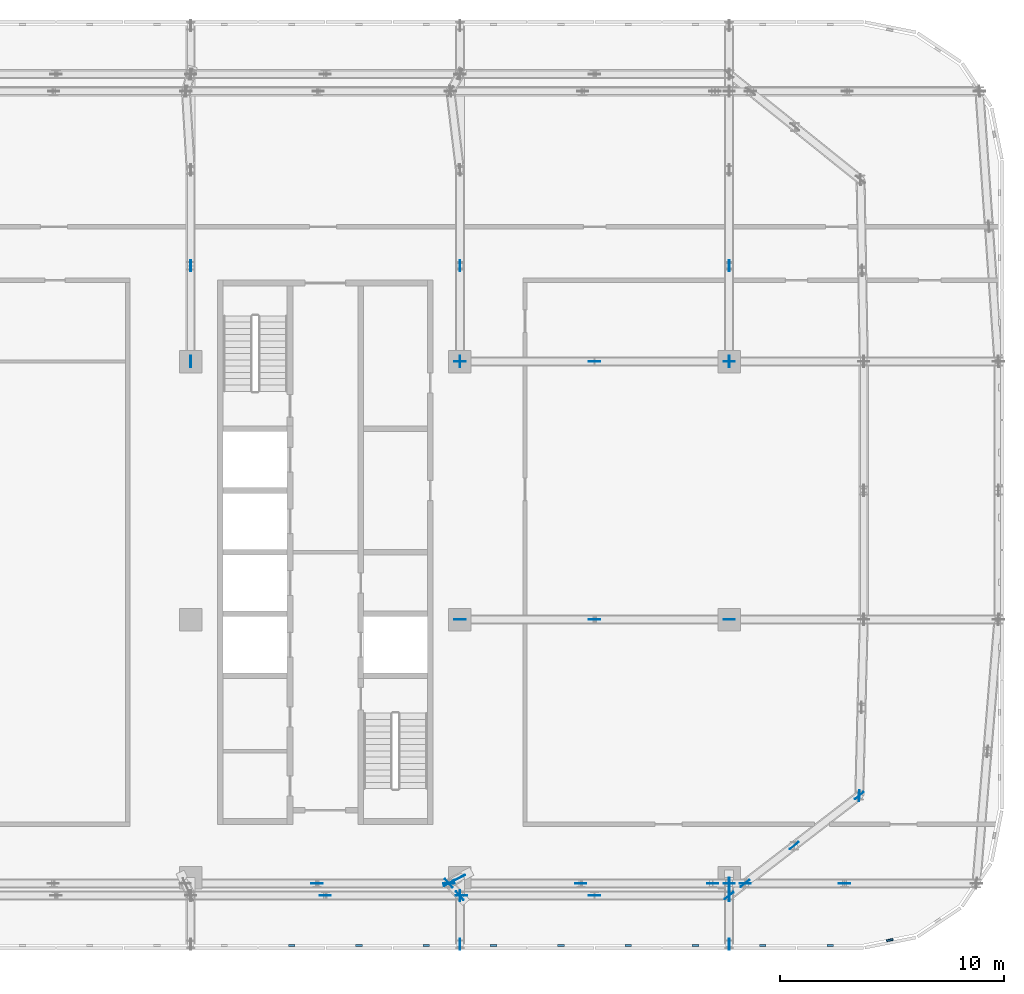
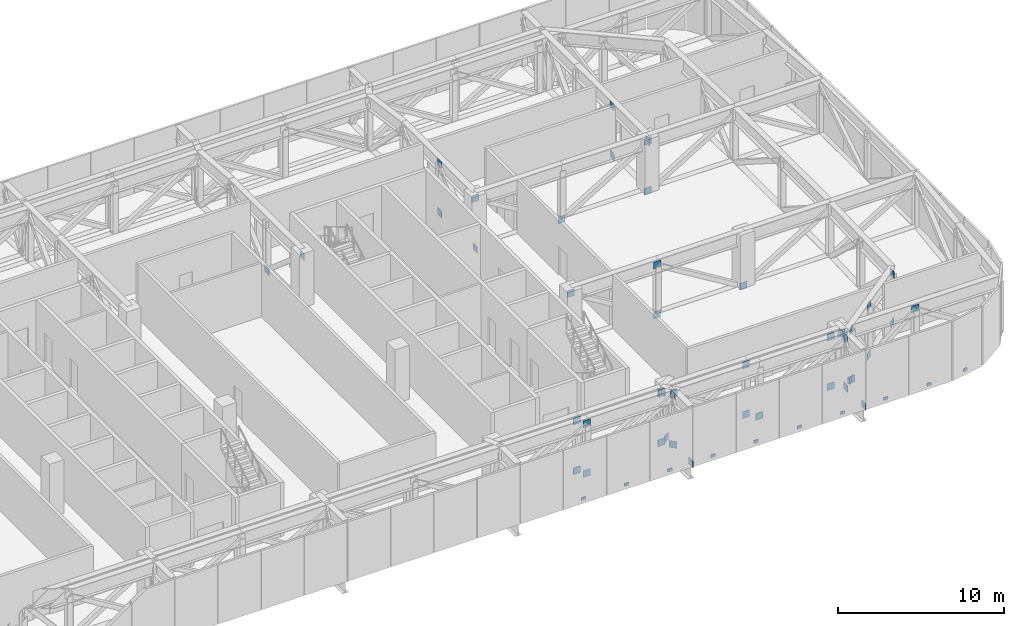
# One storey, part 21 of 29: 58 discrete accessories.
"""IFC4 building model written with IfcOpenShell, lengths in metres."""

from ifc_helpers import new_model, si_unit, direction, frame, origin, origin_2d, place, context, subcontext, project, spatial, rectangle, extrude, material, layer, layer_set, type_object, element, save


model = new_model("IFC4")

# Units and contexts
model_context = context("Model", 3, precision=1e-05, world=origin(), true_north=direction((0.0, 1.0)))
body_context = subcontext(model_context, "Body", "Model", "MODEL_VIEW")
ifc_project = project(units=[si_unit("LENGTHUNIT", "METRE"), si_unit("AREAUNIT", "SQUARE_METRE"), si_unit("VOLUMEUNIT", "CUBIC_METRE"), si_unit("PLANEANGLEUNIT", "RADIAN"), si_unit("MASSUNIT", "GRAM", prefix="KILO")], contexts=[model_context])

# Site, building, storey
site_placement = place(None, origin())
site = spatial("IfcSite", under=ifc_project, at=site_placement, CompositionType="ELEMENT")
building_placement = place(site_placement, origin())
building = spatial("IfcBuilding", under=site, at=building_placement, Name="Mahtab Terrace Research Tower", CompositionType="ELEMENT")
storey_placement = place(building_placement, frame((0.0, 0.0, 259.0)))
storey = spatial("IfcBuildingStorey", under=building, at=storey_placement, Name="L63", CompositionType="ELEMENT", Elevation=259.0)

# Discrete accessories
ifc_material_1 = material(Name="Black anodised aluminium", Category="aluminium")
discrete_accessory_type_1 = type_object("IfcDiscreteAccessoryType", Name="Facade bracket", PredefinedType="BRACKET", material=ifc_material_1)
for number, where, z_axis, x_axis, name in (
    (1, (22.5, -14.51806640625, -0.2998046875), (0.0, 0.0, 1.0), (1.0, 0.0, 0.0), "Louvre bracket L63 21"),
    (2, (25.5, -14.51806640625, -0.2998046875), (0.0, 0.0, 1.0), (1.0, 0.0, 0.0), "Louvre bracket L63 22"),
    (3, (28.5, -14.51806640625, -0.2998046875), (0.0, 0.0, 1.0), (1.0, 0.0, 0.0), "Louvre bracket L63 23"),
    (4, (31.5, -14.51806640625, -0.2998046875), (0.0, 0.0, 1.0), (1.0, 0.0, 0.0), "Louvre bracket L63 24"),
    (5, (34.5, -14.51806640625, -0.2998046875), (0.0, 0.0, 1.0), (1.0, 0.0, 0.0), "Louvre bracket L63 25"),
    (6, (37.5, -14.51806640625, -0.2998046875), (0.0, 0.0, 1.0), (1.0, 0.0, 0.0), "Louvre bracket L63 26"),
    (7, (40.5, -14.51806640625, -0.2998046875), (0.0, 0.0, 1.0), (1.0, 0.0, 0.0), "Louvre bracket L63 27"),
    (8, (43.5, -14.51806640625, -0.2998046875), (0.0, 0.0, 1.0), (1.0, 0.0, 0.0), "Louvre bracket L63 28"),
    (9, (46.5, -14.51806640625, -0.2998046875), (0.0, 0.0, 1.0), (1.0, 0.0, 0.0), "Louvre bracket L63 29"),
    (10, (49.15673828125, -14.28857421875, -0.2998046875), (0.0, 0.0, 1.0), (0.980760981187, 0.195212442692, 0.0), "Louvre bracket L63 30"),
):
    element("IfcDiscreteAccessory", number, at=place(storey_placement, frame(where, z_axis=z_axis, x_axis=x_axis)), inside=storey, type_object=discrete_accessory_type_1, Name=name, PredefinedType="BRACKET", context=body_context, shape_type="SweptSolid", body=[
        extrude(rectangle(XDim=0.300048828125, YDim=0.090087890625, at=origin_2d()), origin(), (0.0, 0.0, 1.0), 0.199951171875),
    ])
ifc_material_2 = material(Name="Steel ASTM A992 Gr 50", Category="steel")
ifc_layer = layer(ifc_material_2, 0.030029296875)
ifc_layer_set = layer_set([ifc_layer], Name="Gusset plate 500x500x30")
discrete_accessory_type_2 = type_object("IfcDiscreteAccessoryType", Name="Gusset plate 500x500x30", PredefinedType="USERDEFINED", material=ifc_layer_set)
for number, where, z_axis, x_axis, name in (
    (11, (23.633056640625, -11.758056640625, -0.44677734375), (0.0, 0.0, 1.0), (1.0, 0.0, 0.0), "Gusset plate"),
    (12, (23.633056640625, -11.758056640625, 3.209716796875), (0.0, 0.0, 1.0), (1.0, 0.0, 0.0), "Gusset plate"),
    (13, (24.0, -12.306884765625, -0.44677734375), (0.0, 0.0, 1.0), (1.0, 0.0, 0.0), "Gusset plate"),
    (14, (24.0, -12.306884765625, 3.209716796875), (0.0, 0.0, 1.0), (1.0, 0.0, 0.0), "Gusset plate"),
    (15, (29.510009765625, -11.758056640625, -0.44677734375), (0.0, 0.0, 1.0), (1.0, 0.0, 0.0), "Gusset plate"),
    (16, (29.510009765625, -11.758056640625, 3.209716796875), (0.0, 0.0, 1.0), (1.0, 0.0, 0.0), "Gusset plate"),
    (17, (30.065673828125, -12.306884765625, 3.2958984375), (0.0, 0.0, 1.0), (1.0, 0.0, 0.0), "Gusset plate"),
    (18, (30.0, 0.0, 3.209716796875), (0.0, 0.0, 1.0), (1.0, 0.0, 0.0), "Gusset plate"),
    (19, (30.0, 11.5, 3.209716796875), (0.0, 0.0, 1.0), (1.0, 0.0, 0.0), "Gusset plate"),
    (20, (35.387939453125, -11.758056640625, -0.44677734375), (0.0, 0.0, 1.0), (1.0, 0.0, 0.0), "Gusset plate"),
    (21, (35.387939453125, -11.758056640625, 3.209716796875), (0.0, 0.0, 1.0), (1.0, 0.0, 0.0), "Gusset plate"),
    (22, (36.0, -12.306884765625, -0.44677734375), (0.0, 0.0, 1.0), (1.0, 0.0, 0.0), "Gusset plate"),
    (23, (36.0, 0.0, -0.44677734375), (0.0, 0.0, 1.0), (1.0, 0.0, 0.0), "Gusset plate"),
    (24, (36.0, 0.0, 3.209716796875), (0.0, 0.0, 1.0), (1.0, 0.0, 0.0), "Gusset plate"),
    (25, (36.0, 11.5, -0.44677734375), (0.0, 0.0, 1.0), (1.0, 0.0, 0.0), "Gusset plate"),
    (26, (41.26611328125, -11.758056640625, -0.44677734375), (0.0, 0.0, 1.0), (1.0, 0.0, 0.0), "Gusset plate"),
    (27, (41.26611328125, -11.758056640625, 3.209716796875), (0.0, 0.0, 1.0), (1.0, 0.0, 0.0), "Gusset plate"),
    (28, (42.0, -11.758056640625, 3.209716796875), (0.0, 0.0, 1.0), (1.0, 0.0, 0.0), "Gusset plate"),
    (29, (42.0, 0.0, -0.44677734375), (0.0, 0.0, 1.0), (1.0, 0.0, 0.0), "Gusset plate"),
    (30, (42.0, 11.5, -0.44677734375), (0.0, 0.0, 1.0), (1.0, 0.0, 0.0), "Gusset plate"),
    (31, (42.0, 11.5, 3.209716796875), (0.0, 0.0, 1.0), (1.0, 0.0, 0.0), "Gusset plate"),
    (32, (42.714111328125, -11.758056640625, -0.44677734375), (0.0, 0.0, 1.0), (1.0, 0.0, 0.0), "Gusset plate"),
    (33, (47.14306640625, -11.758056640625, 3.209716796875), (0.0, 0.0, 1.0), (1.0, 0.0, 0.0), "Gusset plate"),
    (34, (29.510009765625, -11.758056640625, 3.209716796875), (0.0, 0.0, 1.0), (0.884841316677, 0.465892524409, 0.0), "Gusset plate"),
    (35, (30.0, -11.5, -0.44677734375), (0.0, 0.0, 1.0), (0.884841316677, 0.465892524409, 0.0), "Gusset plate"),
    (36, (42.0, -12.306884765625, 3.209716796875), (0.0, 0.0, 1.0), (0.792747328996, 0.609550385424, 0.0), "Gusset plate"),
    (37, (42.714111328125, -11.758056640625, -0.44677734375), (0.0, 0.0, 1.0), (0.792747328996, 0.609550385424, 0.0), "Gusset plate"),
    (38, (42.714111328125, -11.758056640625, 3.209716796875), (0.0, 0.0, 1.0), (0.792757967536, 0.60953654928, 0.0), "Gusset plate"),
    (39, (44.89892578125, -10.077880859375, -0.44677734375), (0.0, 0.0, 1.0), (0.792757967536, 0.60953654928, 0.0), "Gusset plate"),
    (40, (44.89892578125, -10.077880859375, 3.209716796875), (0.0, 0.0, 1.0), (0.792619647675, 0.609716404666, 0.0), "Gusset plate"),
    (41, (47.798095703125, -7.847900390625, -0.44677734375), (0.0, 0.0, 1.0), (0.792619647675, 0.609716404666, 0.0), "Gusset plate"),
    (42, (47.798095703125, -7.847900390625, 3.209716796875), (0.0, 0.0, 1.0), (0.025723315524, 0.999669100772, 0.0), "Gusset plate"),
    (43, (18.0, 11.5, 3.209716796875), (0.0, 0.0, 1.0), (0.0, 1.0, 0.0), "Gusset plate"),
    (44, (18.0, 15.76904296875, -0.44677734375), (0.0, 0.0, 1.0), (0.0, 1.0, 0.0), "Gusset plate"),
    (45, (30.0, -14.472900390625, -0.44677734375), (0.0, 0.0, 1.0), (0.0, 1.0, 0.0), "Gusset plate"),
    (46, (30.0, -12.306884765625, 3.209716796875), (0.0, 0.0, 1.0), (0.0, 1.0, 0.0), "Gusset plate"),
    (47, (30.0, 11.5, -0.44677734375), (0.0, 0.0, 1.0), (0.0, 1.0, 0.0), "Gusset plate"),
    (48, (30.0, 15.76904296875, -0.44677734375), (0.0, 0.0, 1.0), (0.0, 1.0, 0.0), "Gusset plate"),
    (49, (30.0, 15.76904296875, 3.209716796875), (0.0, 0.0, 1.0), (0.0, 1.0, 0.0), "Gusset plate"),
    (50, (42.0, -14.472900390625, -0.44677734375), (0.0, 0.0, 1.0), (0.0, 1.0, 0.0), "Gusset plate"),
    (51, (42.0, -12.306884765625, -0.44677734375), (0.0, 0.0, 1.0), (0.0, 1.0, 0.0), "Gusset plate"),
    (52, (42.0, -12.306884765625, 3.209716796875), (0.0, 0.0, 1.0), (0.0, 1.0, 0.0), "Gusset plate"),
    (53, (42.0, -11.758056640625, 3.209716796875), (0.0, 0.0, 1.0), (0.0, 1.0, 0.0), "Gusset plate"),
    (54, (42.0, 11.5, 3.209716796875), (0.0, 0.0, 1.0), (0.0, 1.0, 0.0), "Gusset plate"),
    (55, (42.0, 15.76904296875, -0.44677734375), (0.0, 0.0, 1.0), (0.0, 1.0, 0.0), "Gusset plate"),
    (56, (42.0, 15.76904296875, 3.209716796875), (0.0, 0.0, 1.0), (0.0, 1.0, 0.0), "Gusset plate"),
    (57, (29.510009765625, -11.758056640625, 3.209716796875), (0.0, 0.0, 1.0), (-0.665881666001, 0.746057375062, 0.0), "Gusset plate"),
    (58, (30.0, -12.306884765625, -0.44677734375), (0.0, 0.0, 1.0), (-0.665881666001, 0.746057375062, 0.0), "Gusset plate"),
):
    element("IfcDiscreteAccessory", number, at=place(storey_placement, frame(where, z_axis=z_axis, x_axis=x_axis)), inside=storey, type_object=discrete_accessory_type_2, Name=name, ObjectType="GUSSET PLATE", PredefinedType="USERDEFINED", context=body_context, shape_type="SweptSolid", body=[
        extrude(rectangle(XDim=0.5, YDim=0.030029296875, at=origin_2d()), origin(), (0.0, 0.0, 1.0), 0.5),
    ])

save(model, "model.ifc")
